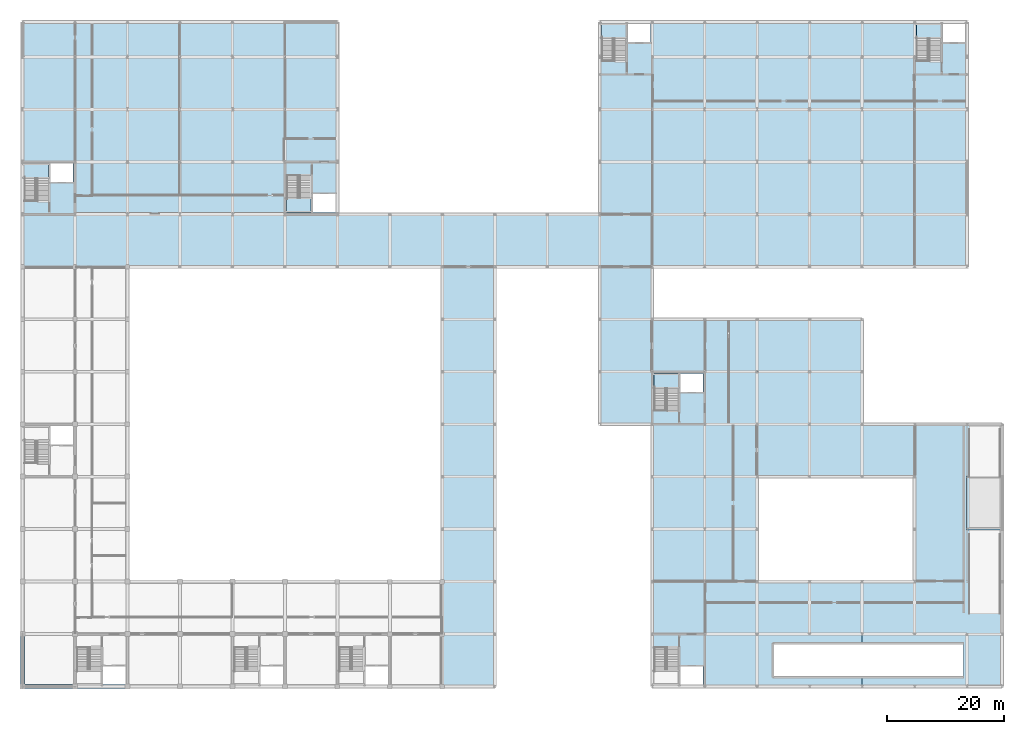
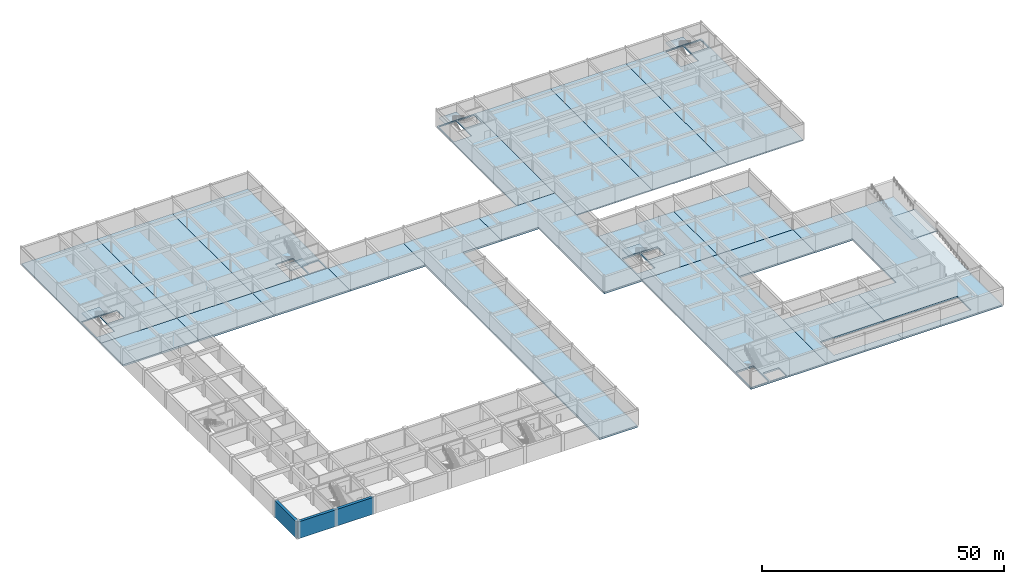
# One storey, part 17 of 35: 25 slabs, 3 walls.
"""IFC4 building model written with IfcOpenShell, lengths in metres."""

from ifc_helpers import new_model, si_unit, direction, frame, frame_2d, origin, place, context, subcontext, project, spatial, polyline, rectangle, outline, extrude, material, layer, layer_set, type_object, element, save


model = new_model("IFC4")

# Units and contexts
model_context = context("Model", 3, precision=1e-05, world=origin(), true_north=direction((0.0, 1.0)))
body_context = subcontext(model_context, "Body", "Model", "MODEL_VIEW")
ifc_project = project(units=[si_unit("LENGTHUNIT", "METRE"), si_unit("AREAUNIT", "SQUARE_METRE"), si_unit("VOLUMEUNIT", "CUBIC_METRE"), si_unit("PLANEANGLEUNIT", "RADIAN"), si_unit("MASSUNIT", "GRAM", prefix="KILO")], contexts=[model_context])

# Site, building, storey
site_placement = place(None, origin())
site = spatial("IfcSite", under=ifc_project, at=site_placement, CompositionType="ELEMENT")
building_placement = place(site_placement, origin())
building = spatial("IfcBuilding", under=site, at=building_placement, Name="Palais des Congres Ocreval", CompositionType="ELEMENT")
storey_placement = place(building_placement, frame((0.0, 0.0, -4.47998046875)))
storey = spatial("IfcBuildingStorey", under=building, at=storey_placement, Name="B1", CompositionType="ELEMENT", Elevation=-4.47998046875)

# Slabs
ifc_material_1 = material(Name="Concrete C35/45", Category="concrete")
ifc_layer_1 = layer(ifc_material_1, 0.280029296875)
ifc_layer_set_1 = layer_set([ifc_layer_1], Name="Basement Parking Slab 280 Concrete C35/45")
slab_type_1 = type_object("IfcSlabType", Name="Basement Parking Slab 280 Concrete C35/45", PredefinedType="FLOOR", material=ifc_layer_set_1)
slab_1_placement = place(storey_placement, frame((0.0, 0.0, -0.280029296875)))
element("IfcSlab", 1, at=slab_1_placement, inside=storey, type_object=slab_type_1, Name="Floor Slab SL07 B1 V1-1", PredefinedType="FLOOR", context=body_context, shape_type="SweptSolid", body=[
    extrude(outline(polyline([(0.0, 114.0), (18.0, 114.0), (18.0, 81.0), (0.0, 81.0), (0.0, 114.0)]), holes=[polyline([(4.5, 89.699951171875), (0.300048828125, 89.699951171875), (0.300048828125, 83.35009765625), (4.5, 83.35009765625), (4.5, 89.699951171875)]), polyline([(4.800048828125, 89.699951171875), (4.800048828125, 86.550048828125), (8.699951171875, 86.550048828125), (8.699951171875, 89.699951171875), (4.800048828125, 89.699951171875)])]), origin(), (0.0, 0.0, 1.0), 0.280029296875),
])
slab_2_placement = place(storey_placement, frame((0.0, 0.0, -0.280029296875)))
element("IfcSlab", 2, at=slab_2_placement, inside=storey, type_object=slab_type_1, Name="Floor Slab SL07 B1 V1-2", PredefinedType="FLOOR", context=body_context, shape_type="SweptSolid", body=[
    extrude(outline(polyline([(36.0, 114.0), (36.0, 81.0), (18.0, 81.0), (18.0, 114.0), (36.0, 114.0)])), origin(), (0.0, 0.0, 1.0), 0.280029296875),
])
slab_3_placement = place(storey_placement, frame((0.0, 0.0, -0.280029296875)))
element("IfcSlab", 3, at=slab_3_placement, inside=storey, type_object=slab_type_1, Name="Floor Slab SL07 B1 V1-3", PredefinedType="FLOOR", context=body_context, shape_type="SweptSolid", body=[
    extrude(outline(polyline([(54.0, 114.0), (54.0, 81.0), (36.0, 81.0), (36.0, 114.0), (54.0, 114.0)]), holes=[polyline([(49.800048828125, 84.449951171875), (49.800048828125, 81.300048828125), (53.699951171875, 81.300048828125), (53.699951171875, 84.449951171875), (49.800048828125, 84.449951171875)]), polyline([(49.5, 87.64990234375), (45.300048828125, 87.64990234375), (45.300048828125, 81.300048828125), (49.5, 81.300048828125), (49.5, 87.64990234375)])]), origin(), (0.0, 0.0, 1.0), 0.280029296875),
])
slab_4_placement = place(storey_placement, frame((0.0, 0.0, -0.280029296875)))
element("IfcSlab", 4, at=slab_4_placement, inside=storey, type_object=slab_type_1, Name="Floor Slab SL07 B1 V2-1", PredefinedType="FLOOR", context=body_context, shape_type="SweptSolid", body=[
    extrude(outline(polyline([(99.0, 81.0), (99.0, 114.0), (108.0, 114.0), (108.0, 81.0), (99.0, 81.0)]), holes=[polyline([(103.5, 113.699951171875), (99.300048828125, 113.699951171875), (99.300048828125, 107.35009765625), (103.5, 107.35009765625), (103.5, 113.699951171875)]), polyline([(107.699951171875, 113.699951171875), (103.800048828125, 113.699951171875), (103.800048828125, 110.550048828125), (107.699951171875, 110.550048828125), (107.699951171875, 113.699951171875)])]), origin(), (0.0, 0.0, 1.0), 0.280029296875),
])
slab_5_placement = place(storey_placement, frame((0.0, 0.0, -0.280029296875)))
element("IfcSlab", 5, at=slab_5_placement, inside=storey, type_object=slab_type_1, Name="Floor Slab SL07 B1 V2-2", PredefinedType="FLOOR", context=body_context, shape_type="SweptSolid", body=[
    extrude(outline(polyline([(108.0, 72.0), (108.0, 81.0), (108.0, 114.0), (126.0, 114.0), (126.0, 72.0), (108.0, 72.0)])), origin(), (0.0, 0.0, 1.0), 0.280029296875),
])
slab_6_placement = place(storey_placement, frame((0.0, 0.0, -0.280029296875)))
element("IfcSlab", 6, at=slab_6_placement, inside=storey, type_object=slab_type_1, Name="Floor Slab SL07 B1 V2-3", PredefinedType="FLOOR", context=body_context, shape_type="SweptSolid", body=[
    extrude(outline(polyline([(126.0, 72.0), (126.0, 114.0), (144.0, 114.0), (144.0, 72.0), (126.0, 72.0)])), origin(), (0.0, 0.0, 1.0), 0.280029296875),
])
slab_7_placement = place(storey_placement, frame((0.0, 0.0, -0.280029296875)))
element("IfcSlab", 7, at=slab_7_placement, inside=storey, type_object=slab_type_1, Name="Floor Slab SL07 B1 V2-4", PredefinedType="FLOOR", context=body_context, shape_type="SweptSolid", body=[
    extrude(outline(polyline([(144.0, 72.0), (144.0, 114.0), (162.0, 114.0), (162.0, 72.0), (144.0, 72.0)]), holes=[polyline([(153.300048828125, 113.699951171875), (153.300048828125, 107.35009765625), (157.5, 107.35009765625), (157.5, 113.699951171875), (153.300048828125, 113.699951171875)]), polyline([(161.699951171875, 113.699951171875), (157.800048828125, 113.699951171875), (157.800048828125, 110.550048828125), (161.699951171875, 110.550048828125), (161.699951171875, 113.699951171875)])]), origin(), (0.0, 0.0, 1.0), 0.280029296875),
])
ifc_material_2 = material(Name="Concrete C40/50", Category="concrete")
ifc_layer_2 = layer(ifc_material_2, 0.39990234375)
ifc_layer_set_2 = layer_set([ifc_layer_2], Name="Heavy Loading Dock Slab 400 Concrete C40/50")
slab_type_2 = type_object("IfcSlabType", Name="Heavy Loading Dock Slab 400 Concrete C40/50", PredefinedType="FLOOR", material=ifc_layer_set_2)
slab_8_placement = place(storey_placement, frame((0.0, 0.0, -0.39990234375)))
element("IfcSlab", 8, at=slab_8_placement, inside=storey, type_object=slab_type_2, Name="Floor Slab SL04 B1 V3-1", PredefinedType="FLOOR", context=body_context, shape_type="SweptSolid", body=[
    extrude(outline(polyline([(108.0, 18.0), (108.0, 45.0), (126.0, 45.0), (126.0, 36.0), (126.0, 18.0), (126.0, 0.0), (108.0, 0.0), (108.0, 18.0)]), holes=[polyline([(112.800048828125, 3.449951171875), (112.800048828125, 0.300048828125), (116.699951171875, 0.300048828125), (116.699951171875, 3.449951171875), (112.800048828125, 3.449951171875)]), polyline([(112.5, 6.64990234375), (108.300048828125, 6.64990234375), (108.300048828125, 0.300048828125), (112.5, 0.300048828125), (112.5, 6.64990234375)])]), origin(), (0.0, 0.0, 1.0), 0.39990234375),
])
slab_9_placement = place(storey_placement, frame((0.0, 0.0, -0.39990234375)))
element("IfcSlab", 9, at=slab_9_placement, inside=storey, type_object=slab_type_2, Name="Floor Slab SL04 B1 V3-2", PredefinedType="FLOOR", context=body_context, shape_type="SweptSolid", body=[
    extrude(outline(polyline([(144.0, 45.0), (144.0, 36.0), (126.0, 36.0), (126.0, 45.0), (144.0, 45.0)])), origin(), (0.0, 0.0, 1.0), 0.39990234375),
])
slab_10_placement = place(storey_placement, frame((0.0, 0.0, -0.39990234375)))
element("IfcSlab", 10, at=slab_10_placement, inside=storey, type_object=slab_type_2, Name="Floor Slab SL04 B1 V3-3", PredefinedType="FLOOR", context=body_context, shape_type="SweptSolid", body=[
    extrude(outline(polyline([(126.0, 0.0), (126.0, 18.0), (144.0, 18.0), (144.0, 7.300048828125), (128.800048828125, 7.300048828125), (128.800048828125, 1.699951171875), (144.0, 1.699951171875), (144.0, 0.0), (126.0, 0.0)])), origin(), (0.0, 0.0, 1.0), 0.39990234375),
])
slab_11_placement = place(storey_placement, frame((0.0, 0.0, -0.39990234375)))
element("IfcSlab", 11, at=slab_11_placement, inside=storey, type_object=slab_type_2, Name="Floor Slab SL04 B1 V3-4", PredefinedType="FLOOR", context=body_context, shape_type="SweptSolid", body=[
    extrude(outline(polyline([(153.0, 45.0), (168.0, 45.0), (168.0, 18.0), (168.0, 0.0), (144.0, 0.0), (144.0, 1.699951171875), (161.419921875, 1.699951171875), (161.419921875, 7.300048828125), (144.0, 7.300048828125), (144.0, 18.0), (153.0, 18.0), (153.0, 36.0), (144.0, 36.0), (144.0, 45.0), (153.0, 45.0)])), origin(), (0.0, 0.0, 1.0), 0.39990234375),
])
ifc_layer_3 = layer(ifc_material_2, 0.449951171875)
ifc_layer_set_3 = layer_set([ifc_layer_3], Name="Hydrotherapy Pool and Cistern Slab 450 Concrete C40/50")
slab_type_3 = type_object("IfcSlabType", Name="Hydrotherapy Pool and Cistern Slab 450 Concrete C40/50", PredefinedType="FLOOR", material=ifc_layer_set_3)
slab_12_placement = place(storey_placement, frame((0.0, 0.0, -0.449951171875)))
element("IfcSlab", 12, at=slab_12_placement, inside=storey, type_object=slab_type_3, Name="Floor Slab SL03 B1 V5-1", PredefinedType="FLOOR", context=body_context, shape_type="SweptSolid", body=[
    extrude(outline(polyline([(0.0, 81.0), (18.0, 81.0), (18.0, 72.0), (0.0, 72.0), (0.0, 81.0)])), origin(), (0.0, 0.0, 1.0), 0.449951171875),
])
slab_13_placement = place(storey_placement, frame((0.0, 0.0, -0.449951171875)))
element("IfcSlab", 13, at=slab_13_placement, inside=storey, type_object=slab_type_3, Name="Floor Slab SL03 B1 V5-2", PredefinedType="FLOOR", context=body_context, shape_type="SweptSolid", body=[
    extrude(outline(polyline([(36.0, 81.0), (36.0, 72.0), (18.0, 72.0), (18.0, 81.0), (36.0, 81.0)])), origin(), (0.0, 0.0, 1.0), 0.449951171875),
])
slab_14_placement = place(storey_placement, frame((0.0, 0.0, -0.449951171875)))
element("IfcSlab", 14, at=slab_14_placement, inside=storey, type_object=slab_type_3, Name="Floor Slab SL03 B1 V5-3", PredefinedType="FLOOR", context=body_context, shape_type="SweptSolid", body=[
    extrude(outline(polyline([(54.0, 81.0), (54.0, 72.0), (36.0, 72.0), (36.0, 81.0), (54.0, 81.0)])), origin(), (0.0, 0.0, 1.0), 0.449951171875),
])
slab_15_placement = place(storey_placement, frame((0.0, 0.0, -0.449951171875)))
element("IfcSlab", 15, at=slab_15_placement, inside=storey, type_object=slab_type_3, Name="Floor Slab SL03 B1 V5-4", PredefinedType="FLOOR", context=body_context, shape_type="SweptSolid", body=[
    extrude(outline(polyline([(72.0, 81.0), (72.0, 72.0), (54.0, 72.0), (54.0, 81.0), (72.0, 81.0)])), origin(), (0.0, 0.0, 1.0), 0.449951171875),
])
slab_16_placement = place(storey_placement, frame((0.0, 0.0, -0.449951171875)))
element("IfcSlab", 16, at=slab_16_placement, inside=storey, type_object=slab_type_3, Name="Floor Slab SL03 B1 V5-5", PredefinedType="FLOOR", context=body_context, shape_type="SweptSolid", body=[
    extrude(outline(polyline([(90.0, 81.0), (90.0, 72.0), (81.0, 72.0), (81.0, 0.0), (72.0, 0.0), (72.0, 72.0), (72.0, 81.0), (90.0, 81.0)])), origin(), (0.0, 0.0, 1.0), 0.449951171875),
])
slab_17_placement = place(storey_placement, frame((0.0, 0.0, -0.449951171875)))
element("IfcSlab", 17, at=slab_17_placement, inside=storey, type_object=slab_type_3, Name="Floor Slab SL03 B1 V5-6", PredefinedType="FLOOR", context=body_context, shape_type="SweptSolid", body=[
    extrude(outline(polyline([(99.0, 81.0), (108.0, 81.0), (108.0, 72.0), (108.0, 63.0), (108.0, 45.0), (99.0, 45.0), (99.0, 72.0), (90.0, 72.0), (90.0, 81.0), (99.0, 81.0)])), origin(), (0.0, 0.0, 1.0), 0.449951171875),
])
slab_18_placement = place(storey_placement, frame((0.0, 0.0, -0.449951171875)))
element("IfcSlab", 18, at=slab_18_placement, inside=storey, type_object=slab_type_3, Name="Floor Slab SL03 B1 V5-7", PredefinedType="FLOOR", context=body_context, shape_type="SweptSolid", body=[
    extrude(outline(polyline([(126.0, 63.0), (126.0, 45.0), (108.0, 45.0), (108.0, 63.0), (126.0, 63.0)]), holes=[polyline([(108.300048828125, 53.699951171875), (108.300048828125, 47.35009765625), (112.5, 47.35009765625), (112.5, 53.699951171875), (108.300048828125, 53.699951171875)]), polyline([(116.699951171875, 53.699951171875), (112.800048828125, 53.699951171875), (112.800048828125, 50.550048828125), (116.699951171875, 50.550048828125), (116.699951171875, 53.699951171875)])]), origin(), (0.0, 0.0, 1.0), 0.449951171875),
])
slab_19_placement = place(storey_placement, frame((0.0, 0.0, -0.449951171875)))
element("IfcSlab", 19, at=slab_19_placement, inside=storey, type_object=slab_type_3, Name="Floor Slab SL03 B1 V5-8", PredefinedType="FLOOR", context=body_context, shape_type="SweptSolid", body=[
    extrude(outline(polyline([(144.0, 63.0), (144.0, 45.0), (126.0, 45.0), (126.0, 63.0), (144.0, 63.0)])), origin(), (0.0, 0.0, 1.0), 0.449951171875),
])
ifc_layer_4 = layer(ifc_material_2, 0.199951171875)
ifc_layer_set_4 = layer_set([ifc_layer_4], Name="Stair and Ramp Landing Slab 200 Concrete C40/50")
slab_type_4 = type_object("IfcSlabType", Name="Stair and Ramp Landing Slab 200 Concrete C40/50", PredefinedType="LANDING", material=ifc_layer_set_4)
slab_20_placement = place(storey_placement, frame((0.0, 0.0, 2.0400390625)))
element("IfcSlab", 20, at=slab_20_placement, inside=storey, type_object=slab_type_4, Name="Stair Half-Landing ST05 B1", PredefinedType="LANDING", context=body_context, shape_type="SweptSolid", body=[
    extrude(outline(polyline([(0.300048828125, 87.1201171875), (4.5, 87.1201171875), (4.5, 89.699951171875), (0.300048828125, 89.699951171875), (0.300048828125, 87.1201171875)])), origin(), (0.0, 0.0, 1.0), 0.199951171875),
])
slab_21_placement = place(storey_placement, frame((0.0, 0.0, 2.0400390625)))
element("IfcSlab", 21, at=slab_21_placement, inside=storey, type_object=slab_type_4, Name="Stair Half-Landing ST06 B1", PredefinedType="LANDING", context=body_context, shape_type="SweptSolid", body=[
    extrude(outline(polyline([(45.300048828125, 81.300048828125), (49.5, 81.300048828125), (49.5, 83.8798828125), (45.300048828125, 83.8798828125), (45.300048828125, 81.300048828125)])), origin(), (0.0, 0.0, 1.0), 0.199951171875),
])
slab_22_placement = place(storey_placement, frame((0.0, 0.0, 2.0400390625)))
element("IfcSlab", 22, at=slab_22_placement, inside=storey, type_object=slab_type_4, Name="Stair Half-Landing ST07 B1", PredefinedType="LANDING", context=body_context, shape_type="SweptSolid", body=[
    extrude(outline(polyline([(99.300048828125, 111.1201171875), (103.5, 111.1201171875), (103.5, 113.699951171875), (99.300048828125, 113.699951171875), (99.300048828125, 111.1201171875)])), origin(), (0.0, 0.0, 1.0), 0.199951171875),
])
slab_23_placement = place(storey_placement, frame((0.0, 0.0, 2.0400390625)))
element("IfcSlab", 23, at=slab_23_placement, inside=storey, type_object=slab_type_4, Name="Stair Half-Landing ST08 B1", PredefinedType="LANDING", context=body_context, shape_type="SweptSolid", body=[
    extrude(outline(polyline([(153.300048828125, 111.1201171875), (157.5, 111.1201171875), (157.5, 113.699951171875), (153.300048828125, 113.699951171875), (153.300048828125, 111.1201171875)])), origin(), (0.0, 0.0, 1.0), 0.199951171875),
])
slab_24_placement = place(storey_placement, frame((0.0, 0.0, 2.0400390625)))
element("IfcSlab", 24, at=slab_24_placement, inside=storey, type_object=slab_type_4, Name="Stair Half-Landing ST10 B1", PredefinedType="LANDING", context=body_context, shape_type="SweptSolid", body=[
    extrude(outline(polyline([(108.300048828125, 51.1201171875), (112.5, 51.1201171875), (112.5, 53.699951171875), (108.300048828125, 53.699951171875), (108.300048828125, 51.1201171875)])), origin(), (0.0, 0.0, 1.0), 0.199951171875),
])
slab_25_placement = place(storey_placement, frame((0.0, 0.0, 2.0400390625)))
element("IfcSlab", 25, at=slab_25_placement, inside=storey, type_object=slab_type_4, Name="Car park and loading vehicle ramp R1 Mid-Landing", PredefinedType="LANDING", context=body_context, shape_type="SweptSolid", body=[
    extrude(outline(polyline([(161.89990234375, 26.89990234375), (168.10009765625, 26.89990234375), (168.10009765625, 36.10009765625), (161.89990234375, 36.10009765625), (161.89990234375, 26.89990234375)])), origin(), (0.0, 0.0, 1.0), 0.199951171875),
])

# Walls
ifc_layer_5 = layer(ifc_material_1, 0.64990234375)
ifc_layer_set_5 = layer_set([ifc_layer_5], Name="Upper Retaining Wall 650 Concrete C35/45")
wall_type = type_object("IfcWallType", Name="Upper Retaining Wall 650 Concrete C35/45", PredefinedType="USERDEFINED", material=ifc_layer_set_5)
for number, where, z_axis, x_axis, name in (
    (26, (18.0, 0.0, 0.0), (0.0, 0.0, 1.0), (-1.0, 0.0, 0.0), "Basement Diaphragm Wall RW02 B1"),
    (27, (9.0, 0.0, 0.0), (0.0, 0.0, 1.0), (-1.0, 0.0, 0.0), "Basement Diaphragm Wall RW02 B1"),
    (28, (0.0, 0.0, 0.0), (0.0, 0.0, 1.0), (0.0, 1.0, 0.0), "Basement Diaphragm Wall RW02 B1"),
):
    element("IfcWall", number, at=place(storey_placement, frame(where, z_axis=z_axis, x_axis=x_axis)), inside=storey, type_object=wall_type, Name=name, ObjectType="RETAININGWALL", PredefinedType="USERDEFINED", context=body_context, shape_type="SweptSolid", body=[
        extrude(rectangle(XDim=9.0, YDim=0.64990234375, at=frame_2d((4.5, 0.0))), origin(), (0.0, 0.0, 1.0), 4.219970703125),
    ])

save(model, "model.ifc")
